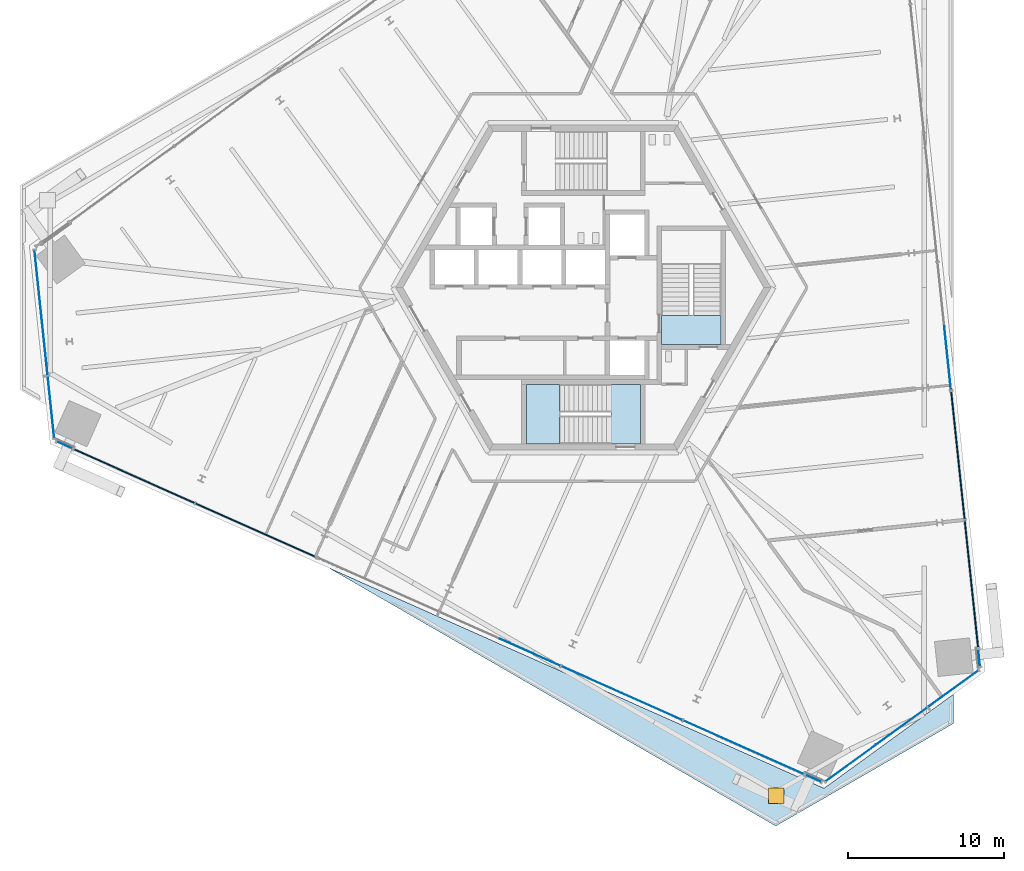
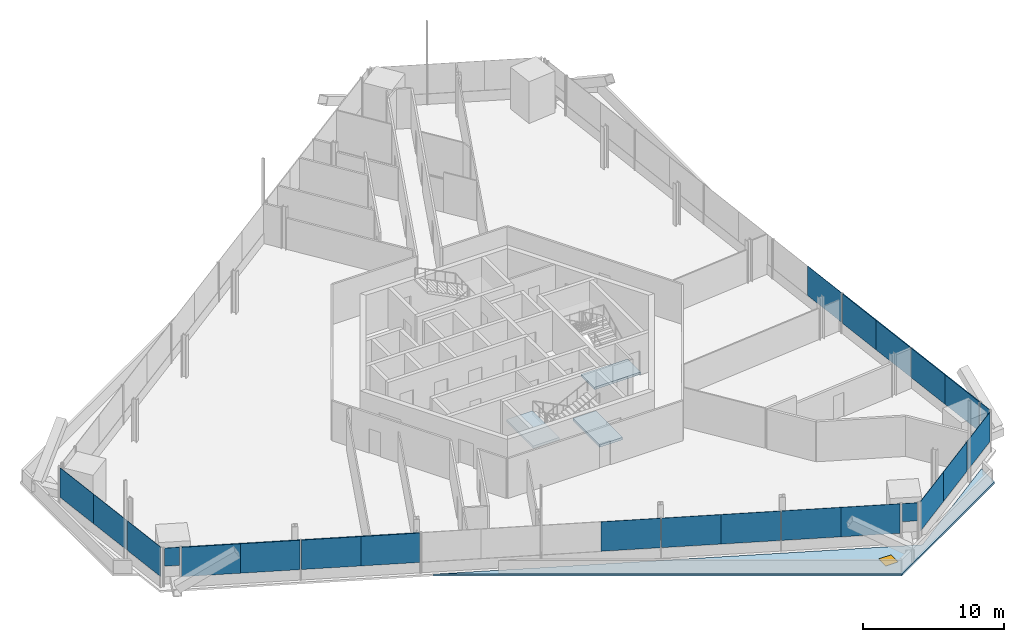
# One storey, part 11 of 24: 23 plates, 4 slabs, 1 door, 1 opening, 11 elements without a shape of their own.
"""IFC4 building model written with IfcOpenShell, lengths in metres."""

from ifc_helpers import new_model, si_unit, direction, frame, origin, origin_2d, place, context, subcontext, project, spatial, polyline, rectangle, outline, extrude, source, transform, mapped, material, layer, layer_set, type_object, element, fill, aggregate, save


model = new_model("IFC4")

# Units and contexts
model_context = context("Model", 3, precision=1e-05, world=origin(), true_north=direction((0.0, 1.0)))
body_context = subcontext(model_context, "Body", "Model", "MODEL_VIEW")
ifc_project = project(units=[si_unit("LENGTHUNIT", "METRE"), si_unit("AREAUNIT", "SQUARE_METRE"), si_unit("VOLUMEUNIT", "CUBIC_METRE"), si_unit("PLANEANGLEUNIT", "RADIAN"), si_unit("MASSUNIT", "GRAM", prefix="KILO")], contexts=[model_context])

# Site, building, storey
site_placement = place(None, origin())
site = spatial("IfcSite", under=ifc_project, at=site_placement, CompositionType="ELEMENT")
building_placement = place(site_placement, origin())
building = spatial("IfcBuilding", under=site, at=building_placement, Name="Triune Harvest Tower", CompositionType="ELEMENT")
storey_placement = place(building_placement, frame((0.0, 0.0, 58.5)))
storey = spatial("IfcBuildingStorey", under=building, at=storey_placement, Name="L13", CompositionType="ELEMENT", Elevation=58.5)

# Curtain wall, plate
ifc_material_1 = material(Name="Aluminium bronze anodised", Category="aluminium")
curtain_wall_type_1 = type_object("IfcCurtainWallType", Name="CW-1 Tower stick curtain wall", PredefinedType="NOTDEFINED", material=ifc_material_1)
curtain_wall_1_placement = place(storey_placement, origin())
curtain_wall_1 = element("IfcCurtainWall", 1, at=curtain_wall_1_placement, inside=storey, type_object=curtain_wall_type_1, Name="CW-1 B2-F5 L13 run 201")
ifc_material_2 = material(Name="Glass", Category="glass")
ifc_layer_1 = layer(ifc_material_2, 0.031982421875)
ifc_layer_set_1 = layer_set([ifc_layer_1], Name="Glass")
plate_type_1 = type_object("IfcPlateType", Name="GL-1 panel 32", PredefinedType="CURTAIN_PANEL", material=ifc_layer_set_1)
plate_1_placement = place(storey_placement, frame((14.71435546875, -31.397216796875, 1.88525390625), z_axis=(0.0, 0.0, 1.0), x_axis=(0.913548127914, -0.406730645494, 0.0)))
plate_1 = element("IfcPlate", 2, at=plate_1_placement, type_object=plate_type_1, Name="CW-1 panel B2-F5 201.1", PredefinedType="CURTAIN_PANEL", context=body_context, shape_type="SweptSolid", body=[
    extrude(rectangle(XDim=1.072021484375, YDim=0.031982421875, at=origin_2d()), origin(), (0.0, 0.0, 1.0), 1.554931640625),
])
aggregate(curtain_wall_1, [plate_1])

# Slab, opening, door
ifc_material_3 = material(Name="Concrete 40 MPa", Category="concrete")
ifc_layer_2 = layer(ifc_material_3, 0.159912109375)
ifc_layer_set_2 = layer_set([ifc_layer_2], Name="Concrete 40 MPa")
slab_type_1 = type_object("IfcSlabType", Name="WR-1 Wedge roof slab 160", PredefinedType="ROOF", material=ifc_layer_set_2)
slab_1_placement = place(storey_placement, frame((0.0, 0.0, -0.159912109375)))
slab_1 = element("IfcSlab", 3, at=slab_1_placement, inside=storey, type_object=slab_type_1, Name="Wedge roof slab L12 3", PredefinedType="ROOF", context=body_context, shape_type="SweptSolid", body=[
    extrude(outline(polyline([(23.67138671875, -27.8798828125), (23.67138671875, -26.010986328125), (15.390869140625, -32.027099609375), (-16.339599609375, -17.899658203125), (12.30908203125, -34.43994140625), (23.67138671875, -27.8798828125)])), origin(), (0.0, 0.0, 1.0), 0.159912109375),
])
opening_placement = place(slab_1_placement, frame((12.341796875, -32.50048828125, 0.0)))
opening = element("IfcOpeningElement", 4, at=opening_placement, cuts=slab_1, Name="Opening RH-L12.1", PredefinedType="OPENING", context=body_context, shape_type="SweptSolid", body=[
    extrude(rectangle(XDim=1.0, YDim=1.0, at=origin_2d()), origin(), (0.0, 0.0, 1.0), 0.159912109375),
])
ifc_material_4 = material(Name="Aluminium bronze anodised", Category="aluminium")
door_type = type_object("IfcDoorType", Name="RH-1 roof hatch 1000 x 1000", OperationType="SINGLE_SWING_LEFT", PredefinedType="TRAPDOOR", material=ifc_material_4)
door_placement = place(opening_placement, frame((0.0, 0.0, 0.10986328125)))
door = element("IfcDoor", 5, at=door_placement, inside=storey, type_object=door_type, Name="Roof hatch L12.1", OperationType="SINGLE_SWING_LEFT", OverallHeight=1.0, OverallWidth=1.0, PredefinedType="TRAPDOOR", context=body_context, shape_type="SweptSolid", body=[
    extrude(rectangle(XDim=1.0, YDim=1.0, at=origin_2d()), origin(), (0.0, 0.0, 1.0), 0.050048828125),
])
fill(opening, door)

# Stair, slabs
ifc_material_5 = material(Name="Concrete 40 MPa", Category="concrete")
stair_type = type_object("IfcStairType", Name="Exit stair 1800 half turn", PredefinedType="HALF_TURN_STAIR", material=ifc_material_5)
stair_1_placement = place(storey_placement, origin())
stair_1 = element("IfcStair", 6, at=stair_1_placement, inside=storey, type_object=stair_type, Name="Exit stair south", PredefinedType="HALF_TURN_STAIR")
ifc_material_6 = material(Name="Concrete 40 MPa", Category="concrete")
ifc_layer_3 = layer(ifc_material_6, 0.199951171875)
ifc_layer_set_3 = layer_set([ifc_layer_3], Name="Concrete 40 MPa")
slab_type_2 = type_object("IfcSlabType", Name="Stair landing 200", PredefinedType="LANDING", material=ifc_layer_set_3)
shared_shape_1 = source(origin(), body_context, "Body", "SweptSolid", [
    extrude(outline(polyline([(-1.510009765625, -6.18994140625), (-3.64990234375, -6.18994140625), (-3.64990234375, -9.989990234375), (-1.510009765625, -9.989990234375), (-1.510009765625, -6.18994140625)])), origin(), (0.0, 0.0, 1.0), 0.199951171875),
])
slab_2_placement = place(storey_placement, frame((0.0, 0.0, 1.60009765625)))
slab_2 = element("IfcSlab", 7, at=slab_2_placement, type_object=slab_type_2, Name="ST-2 landing 2", PredefinedType="LANDING", context=body_context, shape_type="MappedRepresentation", body=[
    mapped(shared_shape_1, transform((0.0, 0.0, 0.0), scale=1.0)),
])
shared_shape_2 = source(origin(), body_context, "Body", "SweptSolid", [
    extrude(outline(polyline([(3.64990234375, -6.18994140625), (1.780029296875, -6.18994140625), (1.780029296875, -9.989990234375), (3.64990234375, -9.989990234375), (3.64990234375, -6.18994140625)])), origin(), (0.0, 0.0, 1.0), 0.199951171875),
])
slab_3_placement = place(storey_placement, frame((0.0, 0.0, -0.199951171875)))
slab_3 = element("IfcSlab", 8, at=slab_3_placement, type_object=slab_type_2, Name="ST-2 landing 1", PredefinedType="LANDING", context=body_context, shape_type="MappedRepresentation", body=[
    mapped(shared_shape_2, transform((0.0, 0.0, 0.0), scale=1.0)),
])
aggregate(stair_1, [slab_3, slab_2])

# Stair, slab
stair_2_placement = place(storey_placement, origin())
stair_2 = element("IfcStair", 9, at=stair_2_placement, inside=storey, type_object=stair_type, Name="Exit stair east", PredefinedType="HALF_TURN_STAIR")
shared_shape_3 = source(origin(), body_context, "Body", "SweptSolid", [
    extrude(outline(polyline([(8.800048828125, -3.64990234375), (8.800048828125, -1.780029296875), (5.0, -1.780029296875), (5.0, -3.64990234375), (8.800048828125, -3.64990234375)])), origin(), (0.0, 0.0, 1.0), 0.199951171875),
])
slab_4_placement = place(storey_placement, frame((0.0, 0.0, -0.199951171875)))
slab_4 = element("IfcSlab", 10, at=slab_4_placement, type_object=slab_type_2, Name="ST-3 landing 1", PredefinedType="LANDING", context=body_context, shape_type="MappedRepresentation", body=[
    mapped(shared_shape_3, transform((0.0, 0.0, 0.0), scale=1.0)),
])
aggregate(stair_2, [slab_4])

# Curtain wall, plate
curtain_wall_2_placement = place(storey_placement, origin())
curtain_wall_2 = element("IfcCurtainWall", 11, at=curtain_wall_2_placement, inside=storey, type_object=curtain_wall_type_1, Name="CW-1 B2-F1 L13 run 1")
shared_shape_4 = source(origin(), body_context, "Body", "SweptSolid", [
    extrude(rectangle(XDim=1.07177734375, YDim=0.031982421875, at=origin_2d()), origin(), (0.0, 0.0, 1.0), 1.554931640625),
])
plate_2_placement = place(storey_placement, frame((25.313232421875, -23.696533203125, 1.88525390625), z_axis=(0.0, 0.0, 1.0), x_axis=(-0.104518622429, 0.994522929633, 0.0)))
plate_2 = element("IfcPlate", 12, at=plate_2_placement, type_object=plate_type_1, Name="CW-1 panel B2-F1 1.1", PredefinedType="CURTAIN_PANEL", context=body_context, shape_type="MappedRepresentation", body=[
    mapped(shared_shape_4, transform((0.0, 0.0, 0.0), scale=1.0)),
])
aggregate(curtain_wall_2, [plate_2])

curtain_wall_3_placement = place(storey_placement, origin())
curtain_wall_3 = element("IfcCurtainWall", 13, at=curtain_wall_3_placement, inside=storey, type_object=curtain_wall_type_1, Name="CW-1 B2-F5 L13 run 1")
plate_3_placement = place(storey_placement, frame((-33.178466796875, -10.07373046875, 1.88525390625), z_axis=(0.0, 0.0, 1.0), x_axis=(0.913551459949, -0.406723161408, 0.0)))
plate_3 = element("IfcPlate", 14, at=plate_3_placement, type_object=plate_type_1, Name="CW-1 panel B2-F5 1.1", PredefinedType="CURTAIN_PANEL", context=body_context, shape_type="MappedRepresentation", body=[
    mapped(shared_shape_4, transform((0.0, 0.0, 0.0), scale=1.0)),
])
aggregate(curtain_wall_3, [plate_3])

# Curtain wall, plates
ifc_material_7 = material(Name="Aluminium bronze anodised", Category="aluminium")
curtain_wall_type_2 = type_object("IfcCurtainWallType", Name="CW-7 Tower stick curtain wall with insulated spandrel infill", PredefinedType="NOTDEFINED", material=ifc_material_7)
curtain_wall_4_placement = place(storey_placement, origin())
curtain_wall_4 = element("IfcCurtainWall", 15, at=curtain_wall_4_placement, inside=storey, type_object=curtain_wall_type_2, Name="CW-7 B2-F1 L13 run 101")
ifc_material_8 = material(Name="Insulated spandrel panel, bronze aluminium pan", Category="aluminium")
ifc_layer_4 = layer(ifc_material_8, 0.080078125)
ifc_layer_set_4 = layer_set([ifc_layer_4], Name="Insulated spandrel panel, bronze aluminium pan")
plate_type_2 = type_object("IfcPlateType", Name="SP-1 insulated spandrel panel 80", PredefinedType="CURTAIN_PANEL", material=ifc_layer_set_4)
shared_shape_5 = source(origin(), body_context, "Body", "SweptSolid", [
    extrude(rectangle(XDim=4.070068359375, YDim=0.080078125, at=origin_2d()), origin(), (0.0, 0.0, 1.0), 2.5400390625),
])
plate_4_placement = place(storey_placement, frame((25.029052734375, -20.990478515625, 0.89990234375), z_axis=(0.0, 0.0, 1.0), x_axis=(-0.104528745642, 0.994521865689, 0.0)))
plate_4 = element("IfcPlate", 16, at=plate_4_placement, type_object=plate_type_2, Name="CW-7 panel B2-F1 101.1", PredefinedType="CURTAIN_PANEL", context=body_context, shape_type="MappedRepresentation", body=[
    mapped(shared_shape_5, transform((0.0, 0.0, 0.0), scale=1.0)),
])
plate_5_placement = place(storey_placement, frame((23.737060546875, -8.697998046875, 0.89990234375), z_axis=(0.0, 0.0, 1.0), x_axis=(-0.104528745642, 0.994521865689, 0.0)))
plate_5 = element("IfcPlate", 17, at=plate_5_placement, type_object=plate_type_2, Name="CW-7 panel B2-F1 101.4", PredefinedType="CURTAIN_PANEL", context=body_context, shape_type="MappedRepresentation", body=[
    mapped(shared_shape_5, transform((0.0, 0.0, 0.0), scale=1.0)),
])
shared_shape_6 = source(origin(), body_context, "Body", "SweptSolid", [
    extrude(rectangle(XDim=4.107421875, YDim=0.080078125, at=origin_2d()), origin(), (0.0, 0.0, 1.0), 2.5400390625),
])
plate_6_placement = place(storey_placement, frame((24.6015625, -16.924072265625, 0.89990234375), z_axis=(0.0, 0.0, 1.0), x_axis=(-0.104528745642, 0.994521865689, 0.0)))
plate_6 = element("IfcPlate", 18, at=plate_6_placement, type_object=plate_type_2, Name="CW-7 panel B2-F1 101.2", PredefinedType="CURTAIN_PANEL", context=body_context, shape_type="MappedRepresentation", body=[
    mapped(shared_shape_6, transform((0.0, 0.0, 0.0), scale=1.0)),
])
plate_7_placement = place(storey_placement, frame((24.164306640625, -12.764404296875, 0.89990234375), z_axis=(0.0, 0.0, 1.0), x_axis=(-0.104528745642, 0.994521865689, 0.0)))
plate_7 = element("IfcPlate", 19, at=plate_7_placement, type_object=plate_type_2, Name="CW-7 panel B2-F1 101.3", PredefinedType="CURTAIN_PANEL", context=body_context, shape_type="MappedRepresentation", body=[
    mapped(shared_shape_6, transform((0.0, 0.0, 0.0), scale=1.0)),
])
aggregate(curtain_wall_4, [plate_4, plate_6, plate_7, plate_5])

# Curtain wall, plate
curtain_wall_5_placement = place(storey_placement, origin())
curtain_wall_5 = element("IfcCurtainWall", 20, at=curtain_wall_5_placement, inside=storey, type_object=curtain_wall_type_1, Name="CW-1 B2-F1 L13 run 1101")
shared_shape_7 = source(origin(), body_context, "Body", "SweptSolid", [
    extrude(rectangle(XDim=4.070068359375, YDim=0.031982421875, at=origin_2d()), origin(), (0.0, 0.0, 1.0), 2.5400390625),
])
plate_8_placement = place(storey_placement, frame((23.2958984375, -4.501220703125, 0.89990234375), z_axis=(0.0, 0.0, 1.0), x_axis=(-0.104528432145, 0.994521898639, 0.0)))
plate_8 = element("IfcPlate", 21, at=plate_8_placement, type_object=plate_type_1, Name="CW-1 panel B2-F1 1101.1", PredefinedType="CURTAIN_PANEL", context=body_context, shape_type="MappedRepresentation", body=[
    mapped(shared_shape_7, transform((0.0, 0.0, 0.0), scale=1.0)),
])
aggregate(curtain_wall_5, [plate_8])

# Curtain wall, plates
curtain_wall_6_placement = place(storey_placement, origin())
curtain_wall_6 = element("IfcCurtainWall", 22, at=curtain_wall_6_placement, inside=storey, type_object=curtain_wall_type_1, Name="CW-1 B2-F4 L13 run 1")
shared_shape_8 = source(origin(), body_context, "Body", "SweptSolid", [
    extrude(rectangle(XDim=3.99853515625, YDim=0.031982421875, at=origin_2d()), origin(), (0.0, 0.0, 1.0), 2.5400390625),
])
plate_9_placement = place(storey_placement, frame((-34.888671875, 0.39111328125, 0.89990234375), z_axis=(0.0, 0.0, 1.0), x_axis=(0.104529462601, -0.994521790334, 0.0)))
plate_9 = element("IfcPlate", 23, at=plate_9_placement, type_object=plate_type_1, Name="CW-1 panel B2-F4 1.1", PredefinedType="CURTAIN_PANEL", context=body_context, shape_type="MappedRepresentation", body=[
    mapped(shared_shape_8, transform((0.0, 0.0, 0.0), scale=1.0)),
])
shared_shape_9 = source(origin(), body_context, "Body", "SweptSolid", [
    extrude(rectangle(XDim=4.035888671875, YDim=0.031982421875, at=origin_2d()), origin(), (0.0, 0.0, 1.0), 2.5400390625),
])
plate_10_placement = place(storey_placement, frame((-34.46875, -3.60400390625, 0.89990234375), z_axis=(0.0, 0.0, 1.0), x_axis=(0.104529462601, -0.994521790334, 0.0)))
plate_10 = element("IfcPlate", 24, at=plate_10_placement, type_object=plate_type_1, Name="CW-1 panel B2-F4 1.2", PredefinedType="CURTAIN_PANEL", context=body_context, shape_type="MappedRepresentation", body=[
    mapped(shared_shape_9, transform((0.0, 0.0, 0.0), scale=1.0)),
])

# Curtain wall, plate
curtain_wall_7_placement = place(storey_placement, origin())
curtain_wall_7 = element("IfcCurtainWall", 25, at=curtain_wall_7_placement, inside=storey, type_object=curtain_wall_type_1, Name="CW-1 B2-F6 L13 run 1")
plate_11_placement = place(storey_placement, frame((20.35546875, -28.048828125, 0.89990234375), z_axis=(0.0, 0.0, 1.0), x_axis=(0.809013235692, 0.58779042564, 0.0)))
plate_11 = element("IfcPlate", 26, at=plate_11_placement, type_object=plate_type_1, Name="CW-1 panel B2-F6 1.2", PredefinedType="CURTAIN_PANEL", context=body_context, shape_type="MappedRepresentation", body=[
    mapped(shared_shape_9, transform((0.0, 0.0, 0.0), scale=1.0)),
])

# Plate
shared_shape_10 = source(origin(), body_context, "Body", "SweptSolid", [
    extrude(rectangle(XDim=3.9609375, YDim=0.031982421875, at=origin_2d()), origin(), (0.0, 0.0, 1.0), 2.5400390625),
])
plate_12_placement = place(storey_placement, frame((-34.04296875, -7.655029296875, 0.89990234375), z_axis=(0.0, 0.0, 1.0), x_axis=(0.104529462601, -0.994521790334, 0.0)))
plate_12 = element("IfcPlate", 27, at=plate_12_placement, type_object=plate_type_1, Name="CW-1 panel B2-F4 1.3", PredefinedType="CURTAIN_PANEL", context=body_context, shape_type="MappedRepresentation", body=[
    mapped(shared_shape_10, transform((0.0, 0.0, 0.0), scale=1.0)),
])

aggregate(curtain_wall_6, [plate_9, plate_10, plate_12])

plate_13_placement = place(storey_placement, frame((23.65087890625, -25.654541015625, 0.89990234375), z_axis=(0.0, 0.0, 1.0), x_axis=(0.809013235692, 0.58779042564, 0.0)))
plate_13 = element("IfcPlate", 28, at=plate_13_placement, type_object=plate_type_1, Name="CW-1 panel B2-F6 1.3", PredefinedType="CURTAIN_PANEL", context=body_context, shape_type="MappedRepresentation", body=[
    mapped(shared_shape_10, transform((0.0, 0.0, 0.0), scale=1.0)),
])

# Curtain wall, plates
curtain_wall_8_placement = place(storey_placement, origin())
curtain_wall_8 = element("IfcCurtainWall", 29, at=curtain_wall_8_placement, inside=storey, type_object=curtain_wall_type_2, Name="CW-7 B2-F5 L13 run 101")
shared_shape_11 = source(origin(), body_context, "Body", "SweptSolid", [
    extrude(rectangle(XDim=4.19189453125, YDim=0.080078125, at=origin_2d()), origin(), (0.0, 0.0, 1.0), 2.5400390625),
])
plate_14_placement = place(storey_placement, frame((-30.636962890625, -11.205322265625, 0.89990234375), z_axis=(0.0, 0.0, 1.0), x_axis=(0.913545342413, -0.406736901885, 0.0)))
plate_14 = element("IfcPlate", 30, at=plate_14_placement, type_object=plate_type_2, Name="CW-7 panel B2-F5 101.1", PredefinedType="CURTAIN_PANEL", context=body_context, shape_type="MappedRepresentation", body=[
    mapped(shared_shape_11, transform((0.0, 0.0, 0.0), scale=1.0)),
])
plate_15_placement = place(storey_placement, frame((-19.011474609375, -16.38134765625, 0.89990234375), z_axis=(0.0, 0.0, 1.0), x_axis=(0.913545342413, -0.406736901885, 0.0)))
plate_15 = element("IfcPlate", 31, at=plate_15_placement, type_object=plate_type_2, Name="CW-7 panel B2-F5 101.4", PredefinedType="CURTAIN_PANEL", context=body_context, shape_type="MappedRepresentation", body=[
    mapped(shared_shape_11, transform((0.0, 0.0, 0.0), scale=1.0)),
])
shared_shape_12 = source(origin(), body_context, "Body", "SweptSolid", [
    extrude(rectangle(XDim=4.2294921875, YDim=0.080078125, at=origin_2d()), origin(), (0.0, 0.0, 1.0), 2.5400390625),
])
plate_16_placement = place(storey_placement, frame((-26.790283203125, -12.91796875, 0.89990234375), z_axis=(0.0, 0.0, 1.0), x_axis=(0.913545342413, -0.406736901885, 0.0)))
plate_16 = element("IfcPlate", 32, at=plate_16_placement, type_object=plate_type_2, Name="CW-7 panel B2-F5 101.2", PredefinedType="CURTAIN_PANEL", context=body_context, shape_type="MappedRepresentation", body=[
    mapped(shared_shape_12, transform((0.0, 0.0, 0.0), scale=1.0)),
])
plate_17_placement = place(storey_placement, frame((-22.858154296875, -14.668701171875, 0.89990234375), z_axis=(0.0, 0.0, 1.0), x_axis=(0.913545342413, -0.406736901885, 0.0)))
plate_17 = element("IfcPlate", 33, at=plate_17_placement, type_object=plate_type_2, Name="CW-7 panel B2-F5 101.3", PredefinedType="CURTAIN_PANEL", context=body_context, shape_type="MappedRepresentation", body=[
    mapped(shared_shape_12, transform((0.0, 0.0, 0.0), scale=1.0)),
])
aggregate(curtain_wall_8, [plate_14, plate_16, plate_17, plate_15])

curtain_wall_9_placement = place(storey_placement, origin())
curtain_wall_9 = element("IfcCurtainWall", 34, at=curtain_wall_9_placement, inside=storey, type_object=curtain_wall_type_1, Name="CW-1 B2-F5 L13 run 1101")
shared_shape_13 = source(origin(), body_context, "Body", "SweptSolid", [
    extrude(rectangle(XDim=4.19189453125, YDim=0.031982421875, at=origin_2d()), origin(), (0.0, 0.0, 1.0), 2.5400390625),
])
plate_18_placement = place(storey_placement, frame((12.1728515625, -30.265625, 0.89990234375), z_axis=(0.0, 0.0, 1.0), x_axis=(0.913544857771, -0.406737990407, 0.0)))
plate_18 = element("IfcPlate", 35, at=plate_18_placement, type_object=plate_type_1, Name="CW-1 panel B2-F5 1101.8", PredefinedType="CURTAIN_PANEL", context=body_context, shape_type="MappedRepresentation", body=[
    mapped(shared_shape_13, transform((0.0, 0.0, 0.0), scale=1.0)),
])
shared_shape_14 = source(origin(), body_context, "Body", "SweptSolid", [
    extrude(rectangle(XDim=4.2294921875, YDim=0.031982421875, at=origin_2d()), origin(), (0.0, 0.0, 1.0), 2.5400390625),
])
plate_19_placement = place(storey_placement, frame((-3.402099609375, -23.3310546875, 0.89990234375), z_axis=(0.0, 0.0, 1.0), x_axis=(0.913544857771, -0.406737990407, 0.0)))
plate_19 = element("IfcPlate", 36, at=plate_19_placement, type_object=plate_type_1, Name="CW-1 panel B2-F5 1101.4", PredefinedType="CURTAIN_PANEL", context=body_context, shape_type="MappedRepresentation", body=[
    mapped(shared_shape_14, transform((0.0, 0.0, 0.0), scale=1.0)),
])
plate_20_placement = place(storey_placement, frame((0.5302734375, -25.081787109375, 0.89990234375), z_axis=(0.0, 0.0, 1.0), x_axis=(0.913544857771, -0.406737990407, 0.0)))
plate_20 = element("IfcPlate", 37, at=plate_20_placement, type_object=plate_type_1, Name="CW-1 panel B2-F5 1101.5", PredefinedType="CURTAIN_PANEL", context=body_context, shape_type="MappedRepresentation", body=[
    mapped(shared_shape_14, transform((0.0, 0.0, 0.0), scale=1.0)),
])
plate_21_placement = place(storey_placement, frame((4.39404296875, -26.80224609375, 0.89990234375), z_axis=(0.0, 0.0, 1.0), x_axis=(0.913544857771, -0.406737990407, 0.0)))
plate_21 = element("IfcPlate", 38, at=plate_21_placement, type_object=plate_type_1, Name="CW-1 panel B2-F5 1101.6", PredefinedType="CURTAIN_PANEL", context=body_context, shape_type="MappedRepresentation", body=[
    mapped(shared_shape_14, transform((0.0, 0.0, 0.0), scale=1.0)),
])
plate_22_placement = place(storey_placement, frame((8.326171875, -28.552978515625, 0.89990234375), z_axis=(0.0, 0.0, 1.0), x_axis=(0.913544857771, -0.406737990407, 0.0)))
plate_22 = element("IfcPlate", 39, at=plate_22_placement, type_object=plate_type_1, Name="CW-1 panel B2-F5 1101.7", PredefinedType="CURTAIN_PANEL", context=body_context, shape_type="MappedRepresentation", body=[
    mapped(shared_shape_14, transform((0.0, 0.0, 0.0), scale=1.0)),
])
aggregate(curtain_wall_9, [plate_19, plate_20, plate_21, plate_22, plate_18])

# Plate
shared_shape_15 = source(origin(), body_context, "Body", "SweptSolid", [
    extrude(rectangle(XDim=3.998291015625, YDim=0.031982421875, at=origin_2d()), origin(), (0.0, 0.0, 1.0), 2.5400390625),
])
plate_23_placement = place(storey_placement, frame((17.10546875, -30.41015625, 0.89990234375), z_axis=(0.0, 0.0, 1.0), x_axis=(0.809013235692, 0.58779042564, 0.0)))
plate_23 = element("IfcPlate", 40, at=plate_23_placement, type_object=plate_type_1, Name="CW-1 panel B2-F6 1.1", PredefinedType="CURTAIN_PANEL", context=body_context, shape_type="MappedRepresentation", body=[
    mapped(shared_shape_15, transform((0.0, 0.0, 0.0), scale=1.0)),
])

aggregate(curtain_wall_7, [plate_23, plate_11, plate_13])

save(model, "model.ifc")
